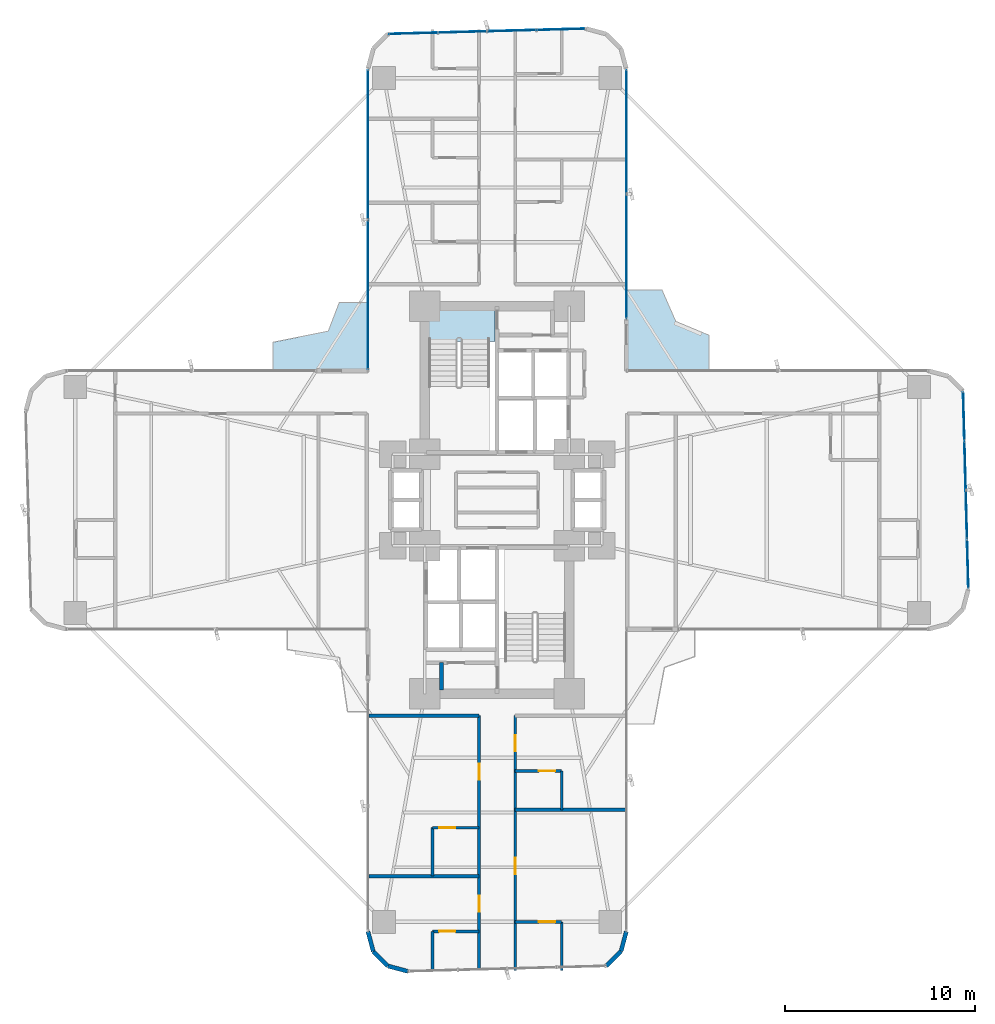
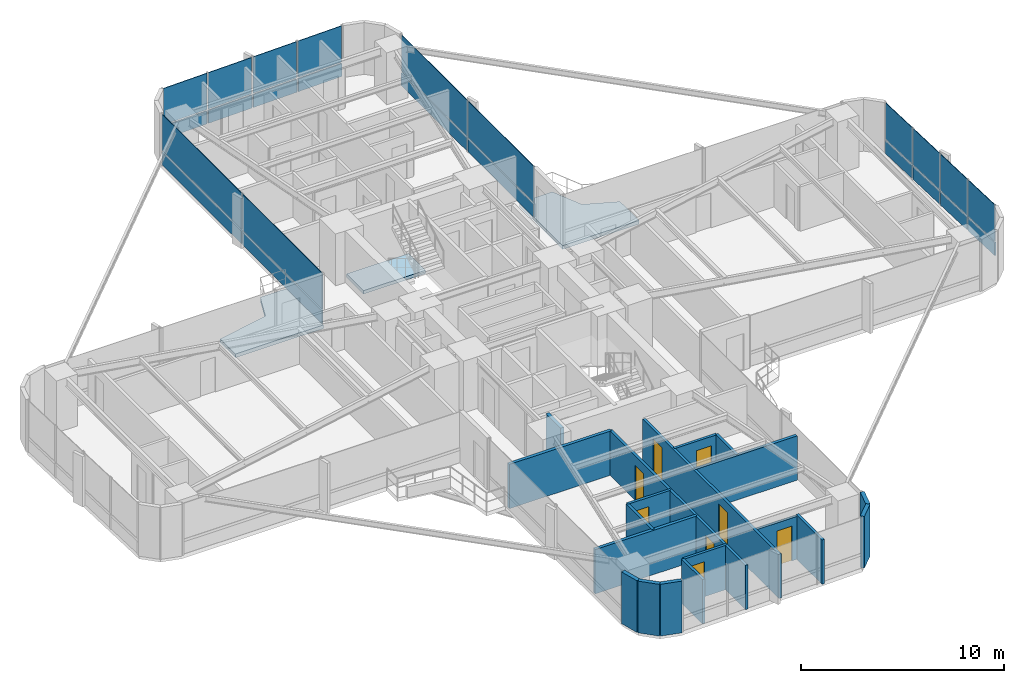
# One storey, part 21 of 25: 24 plates, 19 walls, 8 doors, 3 slabs, 8 openings, 4 elements without a shape of their own.
"""IFC4 building model written with IfcOpenShell, lengths in metres."""

from ifc_helpers import new_model, si_unit, direction, frame, frame_2d, origin, origin_2d, place, context, subcontext, project, spatial, polyline, rectangle, outline, extrude, source, transform, mapped, material, layer, layer_set, type_object, element, fill, aggregate, save


model = new_model("IFC4")

# Units and contexts
model_context = context("Model", 3, precision=1e-05, world=origin(), true_north=direction((0.0, 1.0)))
body_context = subcontext(model_context, "Body", "Model", "MODEL_VIEW")
ifc_project = project(units=[si_unit("LENGTHUNIT", "METRE"), si_unit("AREAUNIT", "SQUARE_METRE"), si_unit("VOLUMEUNIT", "CUBIC_METRE"), si_unit("PLANEANGLEUNIT", "RADIAN"), si_unit("MASSUNIT", "GRAM", prefix="KILO")], contexts=[model_context])

# Site, building, storey
site_placement = place(None, origin())
site = spatial("IfcSite", under=ifc_project, at=site_placement, CompositionType="ELEMENT")
building_placement = place(site_placement, origin())
building = spatial("IfcBuilding", under=site, at=building_placement, Name="Sahyath Konkavel Grand Hotel", CompositionType="ELEMENT")
storey_placement = place(building_placement, frame((0.0, 0.0, 36.5)))
storey = spatial("IfcBuildingStorey", under=building, at=storey_placement, Name="L09", CompositionType="ELEMENT", Elevation=36.5)

# Slabs
ifc_material_1 = material(Name="Concrete C40/50", Category="concrete")
ifc_layer_1 = layer(ifc_material_1, 0.219970703125)
ifc_layer_set_1 = layer_set([ifc_layer_1], Name="Concrete C40/50")
slab_type_1 = type_object("IfcSlabType", Name="SLB-BALCONY-220", PredefinedType="FLOOR", material=ifc_layer_set_1)
slab_1_placement = place(storey_placement, frame((0.0, 0.0, -0.219970703125)))
element("IfcSlab", 1, at=slab_1_placement, inside=storey, type_object=slab_type_1, Name="L09 Winter-Garden Balcony NE", PredefinedType="FLOOR", context=body_context, shape_type="SweptSolid", body=[
    extrude(outline(polyline([(6.800048828125, 6.800048828125), (11.14404296875, 6.800048828125), (11.14404296875, 8.67138671875), (9.39892578125, 9.39892578125), (8.67138671875, 11.055908203125), (6.800048828125, 11.055908203125), (6.800048828125, 6.800048828125)])), origin(), (0.0, 0.0, 1.0), 0.219970703125),
])
slab_2_placement = place(storey_placement, frame((0.0, 0.0, -0.219970703125)))
element("IfcSlab", 2, at=slab_2_placement, inside=storey, type_object=slab_type_1, Name="L09 Winter-Garden Balcony NW", PredefinedType="FLOOR", context=body_context, shape_type="SweptSolid", body=[
    extrude(outline(polyline([(-6.800048828125, 6.800048828125), (-6.800048828125, 10.40087890625), (-8.30126953125, 10.40087890625), (-8.885009765625, 8.885009765625), (-11.799072265625, 8.30126953125), (-11.799072265625, 6.800048828125), (-6.800048828125, 6.800048828125)])), origin(), (0.0, 0.0, 1.0), 0.219970703125),
])
ifc_layer_2 = layer(ifc_material_1, 0.199951171875)
ifc_layer_set_2 = layer_set([ifc_layer_2], Name="Concrete C40/50")
slab_type_2 = type_object("IfcSlabType", Name="SLB-STAIR-LND", PredefinedType="LANDING", material=ifc_layer_set_2)
slab_3_placement = place(storey_placement, frame((0.0, 0.0, -0.199951171875)))
element("IfcSlab", 3, at=slab_3_placement, inside=storey, type_object=slab_type_2, Name="L09 Stair ST-1 Floor Landing Slab", PredefinedType="LANDING", context=body_context, shape_type="SweptSolid", body=[
    extrude(outline(polyline([(-3.6201171875, 8.35009765625), (-0.10009765625, 8.35009765625), (-0.10009765625, 10.02001953125), (-3.6201171875, 10.02001953125), (-3.6201171875, 8.35009765625)])), origin(), (0.0, 0.0, 1.0), 0.199951171875),
])

# Curtain wall, plates
ifc_material_2 = material(Name="Anodised Bronze Aluminium & Low-E Glazing", Category="aluminium")
curtain_wall_type = type_object("IfcCurtainWallType", Name="CW-ZONE1", PredefinedType="NOTDEFINED", material=ifc_material_2)
curtain_wall_1_placement = place(storey_placement, origin())
curtain_wall_1 = element("IfcCurtainWall", 4, at=curtain_wall_1_placement, inside=storey, type_object=curtain_wall_type, Name="L09 Unitised Curtain Wall F15", PredefinedType="NOTDEFINED")
ifc_material_3 = material(Name="Warm Buff Sandstone Cladding", Category="masonry")
ifc_layer_3 = layer(ifc_material_3, 0.074951171875)
ifc_layer_set_3 = layer_set([ifc_layer_3], Name="Warm Buff Sandstone Cladding")
plate_type_1 = type_object("IfcPlateType", Name="PNL-SPANDREL-STONE", PredefinedType="SHEET", material=ifc_layer_set_3)
shared_shape_1 = source(origin(), body_context, "Body", "SweptSolid", [
    extrude(rectangle(XDim=7.830078125, YDim=0.074951171875, at=origin_2d()), origin(), (0.0, 0.0, 1.0), 0.77001953125),
])
plate_1_placement = place(storey_placement, frame((-6.800048828125, 18.705078125, 0.0400390625), z_axis=(0.0, 0.0, 1.0), x_axis=(0.0, -1.0, 0.0)))
plate_1 = element("IfcPlate", 5, at=plate_1_placement, type_object=plate_type_1, Name="L09 Sandstone Relief Spandrel Panel F15-0", PredefinedType="SHEET", context=body_context, shape_type="MappedRepresentation", body=[
    mapped(shared_shape_1, transform((0.0, 0.0, 0.0), scale=1.0)),
])
plate_2_placement = place(storey_placement, frame((-6.800048828125, 10.794921875, 0.0400390625), z_axis=(0.0, 0.0, 1.0), x_axis=(0.0, -1.0, 0.0)))
plate_2 = element("IfcPlate", 6, at=plate_2_placement, type_object=plate_type_1, Name="L09 Sandstone Relief Spandrel Panel F15-1", PredefinedType="SHEET", context=body_context, shape_type="MappedRepresentation", body=[
    mapped(shared_shape_1, transform((0.0, 0.0, 0.0), scale=1.0)),
])
ifc_material_4 = material(Name="Low-E Solar Control Double Glazing", Category="glass")
ifc_layer_4 = layer(ifc_material_4, 0.035888671875)
ifc_layer_set_4 = layer_set([ifc_layer_4], Name="Low-E Solar Control Double Glazing")
plate_type_2 = type_object("IfcPlateType", Name="PNL-VISION-LOWE", PredefinedType="CURTAIN_PANEL", material=ifc_layer_set_4)
shared_shape_2 = source(origin(), body_context, "Body", "SweptSolid", [
    extrude(rectangle(XDim=7.830078125, YDim=0.035888671875, at=origin_2d()), origin(), (0.0, 0.0, 1.0), 2.179931640625),
])
plate_3_placement = place(storey_placement, frame((-6.800048828125, 18.705078125, 0.89013671875), z_axis=(0.0, 0.0, 1.0), x_axis=(0.0, -1.0, 0.0)))
plate_3 = element("IfcPlate", 7, at=plate_3_placement, type_object=plate_type_2, Name="L09 Low-E Vision Glazing Panel F15-0", PredefinedType="CURTAIN_PANEL", context=body_context, shape_type="MappedRepresentation", body=[
    mapped(shared_shape_2, transform((0.0, 0.0, 0.0), scale=1.0)),
])
plate_4_placement = place(storey_placement, frame((-6.800048828125, 10.794921875, 0.89013671875), z_axis=(0.0, 0.0, 1.0), x_axis=(0.0, -1.0, 0.0)))
plate_4 = element("IfcPlate", 8, at=plate_4_placement, type_object=plate_type_2, Name="L09 Low-E Vision Glazing Panel F15-1", PredefinedType="CURTAIN_PANEL", context=body_context, shape_type="MappedRepresentation", body=[
    mapped(shared_shape_2, transform((0.0, 0.0, 0.0), scale=1.0)),
])
aggregate(curtain_wall_1, [plate_1, plate_3, plate_2, plate_4])

curtain_wall_2_placement = place(storey_placement, origin())
curtain_wall_2 = element("IfcCurtainWall", 9, at=curtain_wall_2_placement, inside=storey, type_object=curtain_wall_type, Name="L09 Unitised Curtain Wall F4", PredefinedType="NOTDEFINED")
shared_shape_3 = source(origin(), body_context, "Body", "SweptSolid", [
    extrude(rectangle(XDim=2.513427734375, YDim=0.074951171875, at=origin_2d()), origin(), (0.0, 0.0, 1.0), 0.77001953125),
])
plate_5_placement = place(storey_placement, frame((24.763916015625, -3.36376953125, 0.0400390625), z_axis=(0.0, 0.0, 1.0), x_axis=(-0.026909728301, 0.999637867691, 0.0)))
plate_5 = element("IfcPlate", 10, at=plate_5_placement, type_object=plate_type_1, Name="L09 Sandstone Relief Spandrel Panel F4-0", PredefinedType="SHEET", context=body_context, shape_type="MappedRepresentation", body=[
    mapped(shared_shape_3, transform((0.0, 0.0, 0.0), scale=1.0)),
])
plate_6_placement = place(storey_placement, frame((24.694091796875, -0.771240234375, 0.0400390625), z_axis=(0.0, 0.0, 1.0), x_axis=(-0.026909728301, 0.999637867691, 0.0)))
plate_6 = element("IfcPlate", 11, at=plate_6_placement, type_object=plate_type_1, Name="L09 Sandstone Relief Spandrel Panel F4-1", PredefinedType="SHEET", context=body_context, shape_type="MappedRepresentation", body=[
    mapped(shared_shape_3, transform((0.0, 0.0, 0.0), scale=1.0)),
])
plate_7_placement = place(storey_placement, frame((24.62451171875, 1.8212890625, 0.0400390625), z_axis=(0.0, 0.0, 1.0), x_axis=(-0.026909728301, 0.999637867691, 0.0)))
plate_7 = element("IfcPlate", 12, at=plate_7_placement, type_object=plate_type_1, Name="L09 Sandstone Relief Spandrel Panel F4-2", PredefinedType="SHEET", context=body_context, shape_type="MappedRepresentation", body=[
    mapped(shared_shape_3, transform((0.0, 0.0, 0.0), scale=1.0)),
])
plate_8_placement = place(storey_placement, frame((24.5546875, 4.413818359375, 0.0400390625), z_axis=(0.0, 0.0, 1.0), x_axis=(-0.026909728301, 0.999637867691, 0.0)))
plate_8 = element("IfcPlate", 13, at=plate_8_placement, type_object=plate_type_1, Name="L09 Sandstone Relief Spandrel Panel F4-3", PredefinedType="SHEET", context=body_context, shape_type="MappedRepresentation", body=[
    mapped(shared_shape_3, transform((0.0, 0.0, 0.0), scale=1.0)),
])

curtain_wall_3_placement = place(storey_placement, origin())
curtain_wall_3 = element("IfcCurtainWall", 14, at=curtain_wall_3_placement, inside=storey, type_object=curtain_wall_type, Name="L09 Unitised Curtain Wall F12", PredefinedType="NOTDEFINED")
plate_9_placement = place(storey_placement, frame((3.36376953125, 24.763916015625, 0.0400390625), z_axis=(0.0, 0.0, 1.0), x_axis=(-0.999637867691, -0.026909728301, 0.0)))
plate_9 = element("IfcPlate", 15, at=plate_9_placement, type_object=plate_type_1, Name="L09 Sandstone Relief Spandrel Panel F12-0", PredefinedType="SHEET", context=body_context, shape_type="MappedRepresentation", body=[
    mapped(shared_shape_3, transform((0.0, 0.0, 0.0), scale=1.0)),
])
plate_10_placement = place(storey_placement, frame((0.771240234375, 24.694091796875, 0.0400390625), z_axis=(0.0, 0.0, 1.0), x_axis=(-0.999637867691, -0.026909728301, 0.0)))
plate_10 = element("IfcPlate", 16, at=plate_10_placement, type_object=plate_type_1, Name="L09 Sandstone Relief Spandrel Panel F12-1", PredefinedType="SHEET", context=body_context, shape_type="MappedRepresentation", body=[
    mapped(shared_shape_3, transform((0.0, 0.0, 0.0), scale=1.0)),
])
plate_11_placement = place(storey_placement, frame((-1.8212890625, 24.62451171875, 0.0400390625), z_axis=(0.0, 0.0, 1.0), x_axis=(-0.999637867691, -0.026909728301, 0.0)))
plate_11 = element("IfcPlate", 17, at=plate_11_placement, type_object=plate_type_1, Name="L09 Sandstone Relief Spandrel Panel F12-2", PredefinedType="SHEET", context=body_context, shape_type="MappedRepresentation", body=[
    mapped(shared_shape_3, transform((0.0, 0.0, 0.0), scale=1.0)),
])
plate_12_placement = place(storey_placement, frame((-4.413818359375, 24.5546875, 0.0400390625), z_axis=(0.0, 0.0, 1.0), x_axis=(-0.999637867691, -0.026909728301, 0.0)))
plate_12 = element("IfcPlate", 18, at=plate_12_placement, type_object=plate_type_1, Name="L09 Sandstone Relief Spandrel Panel F12-3", PredefinedType="SHEET", context=body_context, shape_type="MappedRepresentation", body=[
    mapped(shared_shape_3, transform((0.0, 0.0, 0.0), scale=1.0)),
])

# Plate
shared_shape_4 = source(origin(), body_context, "Body", "SweptSolid", [
    extrude(rectangle(XDim=2.513427734375, YDim=0.035888671875, at=origin_2d()), origin(), (0.0, 0.0, 1.0), 2.179931640625),
])
plate_13_placement = place(storey_placement, frame((24.763916015625, -3.36376953125, 0.89013671875), z_axis=(0.0, 0.0, 1.0), x_axis=(-0.026909728301, 0.999637867691, 0.0)))
plate_13 = element("IfcPlate", 19, at=plate_13_placement, type_object=plate_type_2, Name="L09 Low-E Vision Glazing Panel F4-0", PredefinedType="CURTAIN_PANEL", context=body_context, shape_type="MappedRepresentation", body=[
    mapped(shared_shape_4, transform((0.0, 0.0, 0.0), scale=1.0)),
])

plate_14_placement = place(storey_placement, frame((24.694091796875, -0.771240234375, 0.89013671875), z_axis=(0.0, 0.0, 1.0), x_axis=(-0.026909728301, 0.999637867691, 0.0)))
plate_14 = element("IfcPlate", 20, at=plate_14_placement, type_object=plate_type_2, Name="L09 Low-E Vision Glazing Panel F4-1", PredefinedType="CURTAIN_PANEL", context=body_context, shape_type="MappedRepresentation", body=[
    mapped(shared_shape_4, transform((0.0, 0.0, 0.0), scale=1.0)),
])

plate_15_placement = place(storey_placement, frame((24.62451171875, 1.8212890625, 0.89013671875), z_axis=(0.0, 0.0, 1.0), x_axis=(-0.026909728301, 0.999637867691, 0.0)))
plate_15 = element("IfcPlate", 21, at=plate_15_placement, type_object=plate_type_2, Name="L09 Low-E Vision Glazing Panel F4-2", PredefinedType="CURTAIN_PANEL", context=body_context, shape_type="MappedRepresentation", body=[
    mapped(shared_shape_4, transform((0.0, 0.0, 0.0), scale=1.0)),
])

plate_16_placement = place(storey_placement, frame((24.5546875, 4.413818359375, 0.89013671875), z_axis=(0.0, 0.0, 1.0), x_axis=(-0.026909728301, 0.999637867691, 0.0)))
plate_16 = element("IfcPlate", 22, at=plate_16_placement, type_object=plate_type_2, Name="L09 Low-E Vision Glazing Panel F4-3", PredefinedType="CURTAIN_PANEL", context=body_context, shape_type="MappedRepresentation", body=[
    mapped(shared_shape_4, transform((0.0, 0.0, 0.0), scale=1.0)),
])

aggregate(curtain_wall_2, [plate_5, plate_13, plate_6, plate_14, plate_7, plate_15, plate_8, plate_16])

plate_17_placement = place(storey_placement, frame((3.36376953125, 24.763916015625, 0.89013671875), z_axis=(0.0, 0.0, 1.0), x_axis=(-0.999637867691, -0.026909728301, 0.0)))
plate_17 = element("IfcPlate", 23, at=plate_17_placement, type_object=plate_type_2, Name="L09 Low-E Vision Glazing Panel F12-0", PredefinedType="CURTAIN_PANEL", context=body_context, shape_type="MappedRepresentation", body=[
    mapped(shared_shape_4, transform((0.0, 0.0, 0.0), scale=1.0)),
])

plate_18_placement = place(storey_placement, frame((0.771240234375, 24.694091796875, 0.89013671875), z_axis=(0.0, 0.0, 1.0), x_axis=(-0.999637867691, -0.026909728301, 0.0)))
plate_18 = element("IfcPlate", 24, at=plate_18_placement, type_object=plate_type_2, Name="L09 Low-E Vision Glazing Panel F12-1", PredefinedType="CURTAIN_PANEL", context=body_context, shape_type="MappedRepresentation", body=[
    mapped(shared_shape_4, transform((0.0, 0.0, 0.0), scale=1.0)),
])

plate_19_placement = place(storey_placement, frame((-1.8212890625, 24.62451171875, 0.89013671875), z_axis=(0.0, 0.0, 1.0), x_axis=(-0.999637867691, -0.026909728301, 0.0)))
plate_19 = element("IfcPlate", 25, at=plate_19_placement, type_object=plate_type_2, Name="L09 Low-E Vision Glazing Panel F12-2", PredefinedType="CURTAIN_PANEL", context=body_context, shape_type="MappedRepresentation", body=[
    mapped(shared_shape_4, transform((0.0, 0.0, 0.0), scale=1.0)),
])

plate_20_placement = place(storey_placement, frame((-4.413818359375, 24.5546875, 0.89013671875), z_axis=(0.0, 0.0, 1.0), x_axis=(-0.999637867691, -0.026909728301, 0.0)))
plate_20 = element("IfcPlate", 26, at=plate_20_placement, type_object=plate_type_2, Name="L09 Low-E Vision Glazing Panel F12-3", PredefinedType="CURTAIN_PANEL", context=body_context, shape_type="MappedRepresentation", body=[
    mapped(shared_shape_4, transform((0.0, 0.0, 0.0), scale=1.0)),
])

aggregate(curtain_wall_3, [plate_9, plate_17, plate_10, plate_18, plate_11, plate_19, plate_12, plate_20])

# Curtain wall, plates
curtain_wall_4_placement = place(storey_placement, origin())
curtain_wall_4 = element("IfcCurtainWall", 27, at=curtain_wall_4_placement, inside=storey, type_object=curtain_wall_type, Name="L09 Unitised Curtain Wall F8", PredefinedType="NOTDEFINED")
shared_shape_5 = source(origin(), body_context, "Body", "SweptSolid", [
    extrude(rectangle(XDim=6.47998046875, YDim=0.074951171875, at=origin_2d()), origin(), (0.0, 0.0, 1.0), 0.77001953125),
])
plate_21_placement = place(storey_placement, frame((6.800048828125, 12.820068359375, 0.0400390625), z_axis=(0.0, 0.0, 1.0), x_axis=(0.0, 1.0, 0.0)))
plate_21 = element("IfcPlate", 28, at=plate_21_placement, type_object=plate_type_1, Name="L09 Sandstone Relief Spandrel Panel F8-0", PredefinedType="SHEET", context=body_context, shape_type="MappedRepresentation", body=[
    mapped(shared_shape_5, transform((0.0, 0.0, 0.0), scale=1.0)),
])
plate_22_placement = place(storey_placement, frame((6.800048828125, 19.3798828125, 0.0400390625), z_axis=(0.0, 0.0, 1.0), x_axis=(0.0, 1.0, 0.0)))
plate_22 = element("IfcPlate", 29, at=plate_22_placement, type_object=plate_type_1, Name="L09 Sandstone Relief Spandrel Panel F8-1", PredefinedType="SHEET", context=body_context, shape_type="MappedRepresentation", body=[
    mapped(shared_shape_5, transform((0.0, 0.0, 0.0), scale=1.0)),
])
shared_shape_6 = source(origin(), body_context, "Body", "SweptSolid", [
    extrude(rectangle(XDim=6.47998046875, YDim=0.035888671875, at=origin_2d()), origin(), (0.0, 0.0, 1.0), 2.179931640625),
])
plate_23_placement = place(storey_placement, frame((6.800048828125, 12.820068359375, 0.89013671875), z_axis=(0.0, 0.0, 1.0), x_axis=(0.0, 1.0, 0.0)))
plate_23 = element("IfcPlate", 30, at=plate_23_placement, type_object=plate_type_2, Name="L09 Low-E Vision Glazing Panel F8-0", PredefinedType="CURTAIN_PANEL", context=body_context, shape_type="MappedRepresentation", body=[
    mapped(shared_shape_6, transform((0.0, 0.0, 0.0), scale=1.0)),
])
plate_24_placement = place(storey_placement, frame((6.800048828125, 19.3798828125, 0.89013671875), z_axis=(0.0, 0.0, 1.0), x_axis=(0.0, 1.0, 0.0)))
plate_24 = element("IfcPlate", 31, at=plate_24_placement, type_object=plate_type_2, Name="L09 Low-E Vision Glazing Panel F8-1", PredefinedType="CURTAIN_PANEL", context=body_context, shape_type="MappedRepresentation", body=[
    mapped(shared_shape_6, transform((0.0, 0.0, 0.0), scale=1.0)),
])
aggregate(curtain_wall_4, [plate_21, plate_23, plate_22, plate_24])

# Walls
ifc_material_5 = material(Name="Warm Buff Sandstone Insulated Concrete C40/50", Category="masonry")
ifc_layer_5 = layer(ifc_material_5, 0.219970703125)
ifc_layer_set_5 = layer_set([ifc_layer_5], Name="Warm Buff Sandstone Insulated Concrete C40/50")
wall_type_1 = type_object("IfcWallType", Name="WLL-BALC-THRESH", PredefinedType="STANDARD", material=ifc_layer_set_5)
for number, where, z_axis, x_axis, name in (
    (32, (-6.800048828125, -22.699951171875, 0.0), (0.0, 0.0, 1.0), (0.25872485917, -0.965951058412, 0.0), "L09 Rounded Corner Sandstone Pier 25"),
    (33, (-6.518798828125, -23.75, 0.0), (0.0, 0.0, 1.0), (0.707106781187, -0.707106781187, 0.0), "L09 Rounded Corner Sandstone Pier 26"),
    (34, (-5.75, -24.518798828125, 0.0), (0.0, 0.0, 1.0), (0.965951058412, -0.25872485917, 0.0), "L09 Rounded Corner Sandstone Pier 27"),
    (35, (5.75, -24.518798828125, 0.0), (0.0, 0.0, 1.0), (0.707106781187, 0.707106781187, 0.0), "L09 Rounded Corner Sandstone Pier 29"),
    (36, (6.518798828125, -23.75, 0.0), (0.0, 0.0, 1.0), (0.25872485917, 0.965951058412, 0.0), "L09 Rounded Corner Sandstone Pier 30"),
):
    element("IfcWall", number, at=place(storey_placement, frame(where, z_axis=z_axis, x_axis=x_axis)), inside=storey, type_object=wall_type_1, Name=name, PredefinedType="STANDARD", context=body_context, shape_type="SweptSolid", body=[
        extrude(rectangle(XDim=1.087158203125, YDim=0.219970703125, at=frame_2d((0.54345703125, 0.0))), origin(), (0.0, 0.0, 1.0), 3.110107421875),
    ])
ifc_layer_6 = layer(ifc_material_1, 0.199951171875)
ifc_layer_set_6 = layer_set([ifc_layer_6], Name="Concrete C40/50")
wall_type_2 = type_object("IfcWallType", Name="WLL-CORE-200", PredefinedType="SOLIDWALL", material=ifc_layer_set_6)
wall_1_placement = place(storey_placement, frame((-2.919921875, -10.0, 0.0), z_axis=(0.0, 0.0, 1.0), x_axis=(0.0, 1.0, 0.0)))
element("IfcWall", 37, at=wall_1_placement, inside=storey, type_object=wall_type_2, Name="L09 Partition SFF-W2", PredefinedType="SOLIDWALL", context=body_context, shape_type="SweptSolid", body=[
    extrude(rectangle(XDim=1.43994140625, YDim=0.199951171875, at=frame_2d((0.719970703125, 0.0))), origin(), (0.0, 0.0, 1.0), 2.659912109375),
])
ifc_material_6 = material(Name="Twin-Stud Acoustic Gypsum Plasterboard Partition")
ifc_layer_7 = layer(ifc_material_6, 0.179931640625)
ifc_layer_set_7 = layer_set([ifc_layer_7], Name="Twin-Stud Acoustic Gypsum Plasterboard Partition")
wall_type_3 = type_object("IfcWallType", Name="WLL-DEMISE-180", PredefinedType="PARTITIONING", material=ifc_layer_set_7)
for number, where, z_axis, x_axis, name in (
    (38, (-6.75, -11.35009765625, 0.0), (0.0, 0.0, 1.0), (1.0, 0.0, 0.0), "L09 Partition S-INR"),
    (39, (0.949951171875, -16.30810546875, 0.0), (0.0, 0.0, 1.0), (1.0, 0.0, 0.0), "L09 Partition S-S1L-DEM"),
    (40, (-0.949951171875, -19.7919921875, 0.0), (0.0, 0.0, 1.0), (-1.0, 0.0, 0.0), "L09 Partition S-S1R-DEM"),
):
    element("IfcWall", number, at=place(storey_placement, frame(where, z_axis=z_axis, x_axis=x_axis)), inside=storey, type_object=wall_type_3, Name=name, PredefinedType="PARTITIONING", context=body_context, shape_type="SweptSolid", body=[
        extrude(rectangle(XDim=5.800048828125, YDim=0.179931640625, at=frame_2d((2.89990234375, 0.0))), origin(), (0.0, 0.0, 1.0), 2.659912109375),
    ])

# Wall, openings, doors
ifc_material_7 = material(Name="Fire-Rated Gypsum Plasterboard Partition")
ifc_layer_8 = layer(ifc_material_7, 0.14990234375)
ifc_layer_set_8 = layer_set([ifc_layer_8], Name="Fire-Rated Gypsum Plasterboard Partition")
wall_type_4 = type_object("IfcWallType", Name="WLL-PART-150", PredefinedType="PARTITIONING", material=ifc_layer_set_8)
wall_2_placement = place(storey_placement, frame((0.949951171875, -11.35009765625, 0.0), z_axis=(0.0, 0.0, 1.0), x_axis=(0.0, -1.0, 0.0)))
wall_2 = element("IfcWall", 41, at=wall_2_placement, inside=storey, type_object=wall_type_4, Name="L09 Partition S-CL", PredefinedType="PARTITIONING", context=body_context, shape_type="SweptSolid", body=[
    extrude(rectangle(XDim=13.39990234375, YDim=0.14990234375, at=frame_2d((6.699951171875, 0.0))), origin(), (0.0, 0.0, 1.0), 2.659912109375),
])
opening_1_placement = place(wall_2_placement, frame((1.029052734375, 0.0, 0.0)))
opening_1 = element("IfcOpeningElement", 42, at=opening_1_placement, cuts=wall_2, Name="Opening D-F06D", PredefinedType="OPENING", context=body_context, shape_type="SweptSolid", body=[
    extrude(rectangle(XDim=0.85009765625, YDim=2.10009765625, at=frame_2d((0.425048828125, 1.050048828125))), frame((0.0, 0.0849609375, 0.0), z_axis=(0.0, -1.0, 0.0), x_axis=(1.0, 0.0, 0.0)), (0.0, 0.0, 1.0), 0.169921875),
])
opening_2_placement = place(wall_2_placement, frame((7.47900390625, 0.0, 0.0)))
opening_2 = element("IfcOpeningElement", 43, at=opening_2_placement, cuts=wall_2, Name="Opening D-F06D", PredefinedType="OPENING", context=body_context, shape_type="SweptSolid", body=[
    extrude(rectangle(XDim=0.85009765625, YDim=2.10009765625, at=frame_2d((0.425048828125, 1.050048828125))), frame((0.0, 0.0849609375, 0.0), z_axis=(0.0, -1.0, 0.0), x_axis=(1.0, 0.0, 0.0)), (0.0, 0.0, 1.0), 0.169921875),
])
ifc_material_8 = material(Name="Fire-Rated Shaft Access Door")
door_type_1 = type_object("IfcDoorType", Name="DR-FD60-850", OperationType="NOTDEFINED", PredefinedType="DOOR", material=ifc_material_8)
shared_shape_7 = source(origin(), body_context, "Body", "SweptSolid", [
    extrude(rectangle(XDim=0.85009765625, YDim=0.050048828125, at=origin_2d()), origin(), (0.0, 0.0, 1.0), 2.10009765625),
])
door_1_placement = place(opening_1_placement, frame((0.425048828125, 0.0, 0.0)))
door_1 = element("IfcDoor", 44, at=door_1_placement, inside=storey, type_object=door_type_1, Name="L09 Door S-S1L-ED", OperationType="SINGLE_SWING_LEFT", OverallHeight=2.10009765625, OverallWidth=0.85009765625, PredefinedType="DOOR", context=body_context, shape_type="MappedRepresentation", body=[
    mapped(shared_shape_7, transform((0.0, 0.0, 0.0), scale=1.0)),
])
fill(opening_1, door_1)
door_2_placement = place(opening_2_placement, frame((0.425048828125, 0.0, 0.0)))
door_2 = element("IfcDoor", 45, at=door_2_placement, inside=storey, type_object=door_type_1, Name="L09 Door S-S2L-ED", OperationType="SINGLE_SWING_LEFT", OverallHeight=2.10009765625, OverallWidth=0.85009765625, PredefinedType="DOOR", context=body_context, shape_type="MappedRepresentation", body=[
    mapped(shared_shape_7, transform((0.0, 0.0, 0.0), scale=1.0)),
])
fill(opening_2, door_2)

wall_3_placement = place(storey_placement, frame((-0.949951171875, -11.35009765625, 0.0), z_axis=(0.0, 0.0, 1.0), x_axis=(0.0, -1.0, 0.0)))
wall_3 = element("IfcWall", 46, at=wall_3_placement, inside=storey, type_object=wall_type_4, Name="L09 Partition S-CR", PredefinedType="PARTITIONING", context=body_context, shape_type="SweptSolid", body=[
    extrude(rectangle(XDim=13.39990234375, YDim=0.14990234375, at=frame_2d((6.699951171875, 0.0))), origin(), (0.0, 0.0, 1.0), 2.659912109375),
])
opening_3_placement = place(wall_3_placement, frame((2.52099609375, 0.0, 0.0)))
opening_3 = element("IfcOpeningElement", 47, at=opening_3_placement, cuts=wall_3, Name="Opening D-F06D", PredefinedType="OPENING", context=body_context, shape_type="SweptSolid", body=[
    extrude(rectangle(XDim=0.85009765625, YDim=2.10009765625, at=frame_2d((0.425048828125, 1.050048828125))), frame((0.0, 0.0849609375, 0.0), z_axis=(0.0, -1.0, 0.0), x_axis=(1.0, 0.0, 0.0)), (0.0, 0.0, 1.0), 0.169921875),
])
opening_4_placement = place(wall_3_placement, frame((9.470947265625, 0.0, 0.0)))
opening_4 = element("IfcOpeningElement", 48, at=opening_4_placement, cuts=wall_3, Name="Opening D-F06D", PredefinedType="OPENING", context=body_context, shape_type="SweptSolid", body=[
    extrude(rectangle(XDim=0.85009765625, YDim=2.10009765625, at=frame_2d((0.425048828125, 1.050048828125))), frame((0.0, 0.0849609375, 0.0), z_axis=(0.0, -1.0, 0.0), x_axis=(1.0, 0.0, 0.0)), (0.0, 0.0, 1.0), 0.169921875),
])
door_3_placement = place(opening_3_placement, frame((0.425048828125, 0.0, 0.0)))
door_3 = element("IfcDoor", 49, at=door_3_placement, inside=storey, type_object=door_type_1, Name="L09 Door S-S1R-ED", OperationType="SINGLE_SWING_LEFT", OverallHeight=2.10009765625, OverallWidth=0.85009765625, PredefinedType="DOOR", context=body_context, shape_type="MappedRepresentation", body=[
    mapped(shared_shape_7, transform((0.0, 0.0, 0.0), scale=1.0)),
])
fill(opening_3, door_3)
door_4_placement = place(opening_4_placement, frame((0.425048828125, 0.0, 0.0)))
door_4 = element("IfcDoor", 50, at=door_4_placement, inside=storey, type_object=door_type_1, Name="L09 Door S-S2R-ED", OperationType="SINGLE_SWING_LEFT", OverallHeight=2.10009765625, OverallWidth=0.85009765625, PredefinedType="DOOR", context=body_context, shape_type="MappedRepresentation", body=[
    mapped(shared_shape_7, transform((0.0, 0.0, 0.0), scale=1.0)),
])
fill(opening_4, door_4)

# Wall, opening, door
wall_4_placement = place(storey_placement, frame((0.949951171875, -14.258056640625, 0.0), z_axis=(0.0, 0.0, 1.0), x_axis=(1.0, 0.0, 0.0)))
wall_4 = element("IfcWall", 51, at=wall_4_placement, inside=storey, type_object=wall_type_4, Name="L09 Partition S-S1L-BS", PredefinedType="PARTITIONING", context=body_context, shape_type="SweptSolid", body=[
    extrude(rectangle(XDim=2.449951171875, YDim=0.14990234375, at=frame_2d((1.22509765625, 0.0))), origin(), (0.0, 0.0, 1.0), 2.659912109375),
])
opening_5_placement = place(wall_4_placement, frame((1.25, 0.0, 0.0)))
opening_5 = element("IfcOpeningElement", 52, at=opening_5_placement, cuts=wall_4, Name="Opening D-BT85", PredefinedType="OPENING", context=body_context, shape_type="SweptSolid", body=[
    extrude(rectangle(XDim=0.85009765625, YDim=2.10009765625, at=frame_2d((0.425048828125, 1.050048828125))), frame((0.0, 0.0849609375, 0.0), z_axis=(0.0, -1.0, 0.0), x_axis=(1.0, 0.0, 0.0)), (0.0, 0.0, 1.0), 0.169921875),
])
ifc_material_9 = material(Name="Moisture-Resistant Teak Bathroom Door")
door_type_2 = type_object("IfcDoorType", Name="DR-BATH-850", OperationType="NOTDEFINED", PredefinedType="DOOR", material=ifc_material_9)
door_5_placement = place(opening_5_placement, frame((0.425048828125, 0.0, 0.0)))
door_5 = element("IfcDoor", 53, at=door_5_placement, inside=storey, type_object=door_type_2, Name="L09 Door S-S1L-BD", OperationType="SINGLE_SWING_RIGHT", OverallHeight=2.10009765625, OverallWidth=0.85009765625, PredefinedType="DOOR", context=body_context, shape_type="MappedRepresentation", body=[
    mapped(shared_shape_7, transform((0.0, 0.0, 0.0), scale=1.0)),
])
fill(opening_5, door_5)

# Wall
wall_5_placement = place(storey_placement, frame((3.39990234375, -14.258056640625, 0.0), z_axis=(0.0, 0.0, 1.0), x_axis=(0.0, -1.0, 0.0)))
element("IfcWall", 54, at=wall_5_placement, inside=storey, type_object=wall_type_4, Name="L09 Partition S-S1L-BF", PredefinedType="PARTITIONING", context=body_context, shape_type="SweptSolid", body=[
    extrude(rectangle(XDim=2.050048828125, YDim=0.14990234375, at=frame_2d((1.02490234375, 0.0))), origin(), (0.0, 0.0, 1.0), 2.659912109375),
])

# Wall, opening, door
wall_6_placement = place(storey_placement, frame((0.949951171875, -22.199951171875, 0.0), z_axis=(0.0, 0.0, 1.0), x_axis=(1.0, 0.0, 0.0)))
wall_6 = element("IfcWall", 55, at=wall_6_placement, inside=storey, type_object=wall_type_4, Name="L09 Partition S-S2L-BS", PredefinedType="PARTITIONING", context=body_context, shape_type="SweptSolid", body=[
    extrude(rectangle(XDim=2.449951171875, YDim=0.14990234375, at=frame_2d((1.22509765625, 0.0))), origin(), (0.0, 0.0, 1.0), 2.580078125),
])
opening_6_placement = place(wall_6_placement, frame((1.25, 0.0, 0.0)))
opening_6 = element("IfcOpeningElement", 56, at=opening_6_placement, cuts=wall_6, Name="Opening D-BT85", PredefinedType="OPENING", context=body_context, shape_type="SweptSolid", body=[
    extrude(rectangle(XDim=0.85009765625, YDim=2.10009765625, at=frame_2d((0.425048828125, 1.050048828125))), frame((0.0, 0.0849609375, 0.0), z_axis=(0.0, -1.0, 0.0), x_axis=(1.0, 0.0, 0.0)), (0.0, 0.0, 1.0), 0.169921875),
])
door_6_placement = place(opening_6_placement, frame((0.425048828125, 0.0, 0.0)))
door_6 = element("IfcDoor", 57, at=door_6_placement, inside=storey, type_object=door_type_2, Name="L09 Door S-S2L-BD", OperationType="SINGLE_SWING_RIGHT", OverallHeight=2.10009765625, OverallWidth=0.85009765625, PredefinedType="DOOR", context=body_context, shape_type="MappedRepresentation", body=[
    mapped(shared_shape_7, transform((0.0, 0.0, 0.0), scale=1.0)),
])
fill(opening_6, door_6)

# Wall
wall_7_placement = place(storey_placement, frame((3.39990234375, -22.199951171875, 0.0), z_axis=(0.0, 0.0, 1.0), x_axis=(0.0, -1.0, 0.0)))
element("IfcWall", 58, at=wall_7_placement, inside=storey, type_object=wall_type_4, Name="L09 Partition S-S2L-BF", PredefinedType="PARTITIONING", context=body_context, shape_type="SweptSolid", body=[
    extrude(rectangle(XDim=2.550048828125, YDim=0.14990234375, at=frame_2d((1.27490234375, 0.0))), origin(), (0.0, 0.0, 1.0), 2.659912109375),
])

# Wall, opening, door
wall_8_placement = place(storey_placement, frame((-0.949951171875, -17.241943359375, 0.0), z_axis=(0.0, 0.0, 1.0), x_axis=(-1.0, 0.0, 0.0)))
wall_8 = element("IfcWall", 59, at=wall_8_placement, inside=storey, type_object=wall_type_4, Name="L09 Partition S-S1R-BS", PredefinedType="PARTITIONING", context=body_context, shape_type="SweptSolid", body=[
    extrude(rectangle(XDim=2.449951171875, YDim=0.14990234375, at=frame_2d((1.22509765625, 0.0))), origin(), (0.0, 0.0, 1.0), 2.659912109375),
])
opening_7_placement = place(wall_8_placement, frame((1.25, 0.0, 0.0)))
opening_7 = element("IfcOpeningElement", 60, at=opening_7_placement, cuts=wall_8, Name="Opening D-BT85", PredefinedType="OPENING", context=body_context, shape_type="SweptSolid", body=[
    extrude(rectangle(XDim=0.85009765625, YDim=2.10009765625, at=frame_2d((0.425048828125, 1.050048828125))), frame((0.0, 0.0849609375, 0.0), z_axis=(0.0, -1.0, 0.0), x_axis=(1.0, 0.0, 0.0)), (0.0, 0.0, 1.0), 0.169921875),
])
door_7_placement = place(opening_7_placement, frame((0.425048828125, 0.0, 0.0)))
door_7 = element("IfcDoor", 61, at=door_7_placement, inside=storey, type_object=door_type_2, Name="L09 Door S-S1R-BD", OperationType="SINGLE_SWING_RIGHT", OverallHeight=2.10009765625, OverallWidth=0.85009765625, PredefinedType="DOOR", context=body_context, shape_type="MappedRepresentation", body=[
    mapped(shared_shape_7, transform((0.0, 0.0, 0.0), scale=1.0)),
])
fill(opening_7, door_7)

# Wall
wall_9_placement = place(storey_placement, frame((-3.39990234375, -17.241943359375, 0.0), z_axis=(0.0, 0.0, 1.0), x_axis=(0.0, -1.0, 0.0)))
element("IfcWall", 62, at=wall_9_placement, inside=storey, type_object=wall_type_4, Name="L09 Partition S-S1R-BF", PredefinedType="PARTITIONING", context=body_context, shape_type="SweptSolid", body=[
    extrude(rectangle(XDim=2.550048828125, YDim=0.14990234375, at=frame_2d((1.27490234375, 0.0))), origin(), (0.0, 0.0, 1.0), 2.659912109375),
])

# Wall, opening, door
wall_10_placement = place(storey_placement, frame((-0.949951171875, -22.699951171875, 0.0), z_axis=(0.0, 0.0, 1.0), x_axis=(-1.0, 0.0, 0.0)))
wall_10 = element("IfcWall", 63, at=wall_10_placement, inside=storey, type_object=wall_type_4, Name="L09 Partition S-S2R-BS", PredefinedType="PARTITIONING", context=body_context, shape_type="SweptSolid", body=[
    extrude(rectangle(XDim=2.449951171875, YDim=0.14990234375, at=frame_2d((1.22509765625, 0.0))), origin(), (0.0, 0.0, 1.0), 2.659912109375),
])
opening_8_placement = place(wall_10_placement, frame((1.25, 0.0, 0.0)))
opening_8 = element("IfcOpeningElement", 64, at=opening_8_placement, cuts=wall_10, Name="Opening D-BT85", PredefinedType="OPENING", context=body_context, shape_type="SweptSolid", body=[
    extrude(rectangle(XDim=0.85009765625, YDim=2.10009765625, at=frame_2d((0.425048828125, 1.050048828125))), frame((0.0, 0.0849609375, 0.0), z_axis=(0.0, -1.0, 0.0), x_axis=(1.0, 0.0, 0.0)), (0.0, 0.0, 1.0), 0.169921875),
])
door_8_placement = place(opening_8_placement, frame((0.425048828125, 0.0, 0.0)))
door_8 = element("IfcDoor", 65, at=door_8_placement, inside=storey, type_object=door_type_2, Name="L09 Door S-S2R-BD", OperationType="SINGLE_SWING_RIGHT", OverallHeight=2.10009765625, OverallWidth=0.85009765625, PredefinedType="DOOR", context=body_context, shape_type="MappedRepresentation", body=[
    mapped(shared_shape_7, transform((0.0, 0.0, 0.0), scale=1.0)),
])
fill(opening_8, door_8)

# Wall
wall_11_placement = place(storey_placement, frame((-3.39990234375, -22.699951171875, 0.0), z_axis=(0.0, 0.0, 1.0), x_axis=(0.0, -1.0, 0.0)))
element("IfcWall", 66, at=wall_11_placement, inside=storey, type_object=wall_type_4, Name="L09 Partition S-S2R-BF", PredefinedType="PARTITIONING", context=body_context, shape_type="SweptSolid", body=[
    extrude(rectangle(XDim=2.050048828125, YDim=0.14990234375, at=frame_2d((1.02490234375, 0.0))), origin(), (0.0, 0.0, 1.0), 2.659912109375),
])

save(model, "model.ifc")
